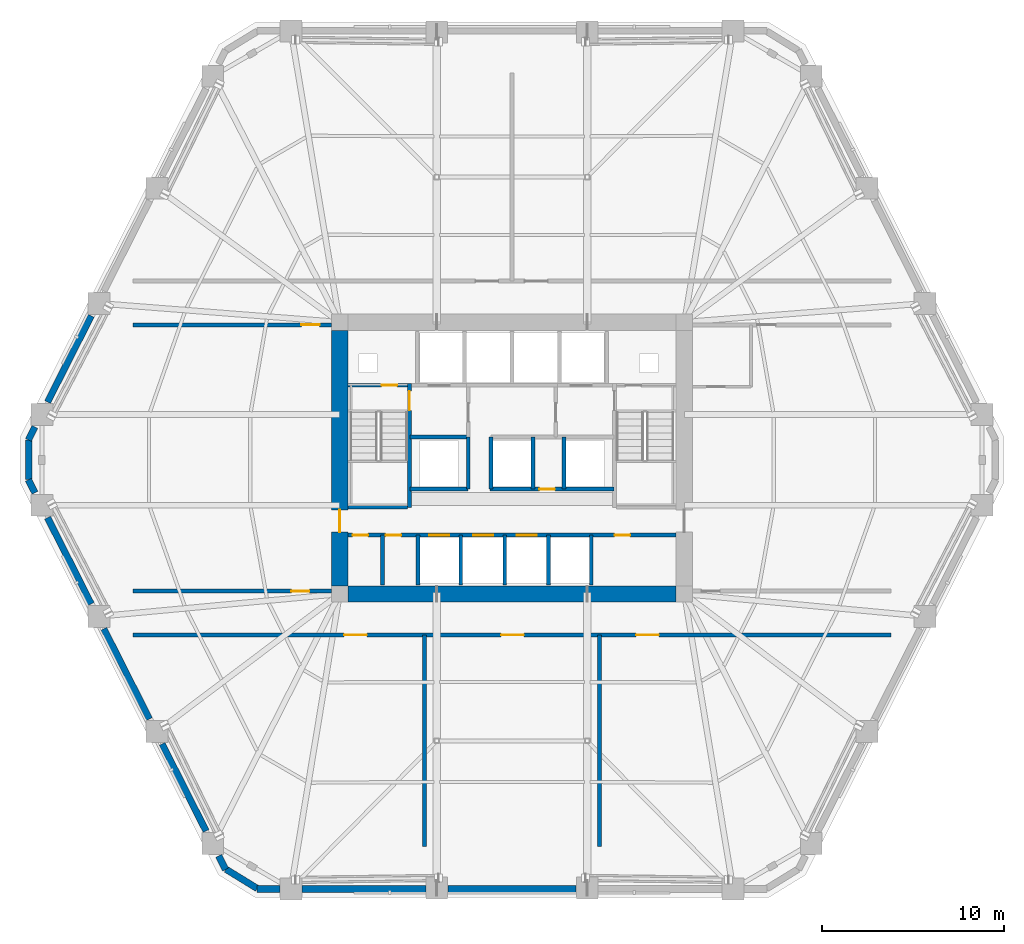
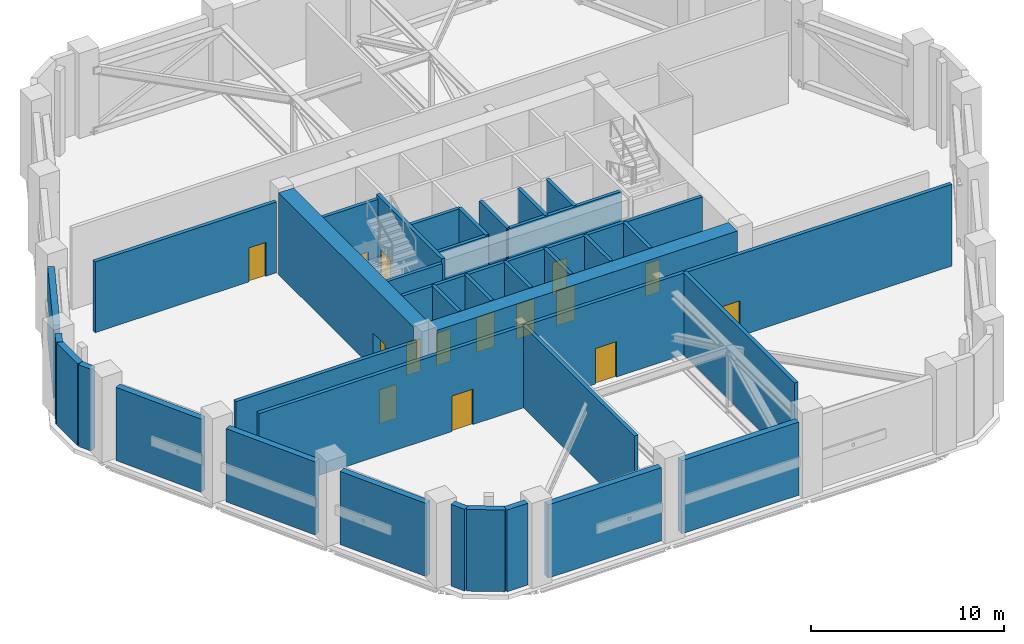
# One storey, part 11 of 19: 36 walls, 15 doors, 15 openings.
"""IFC4 building model written with IfcOpenShell, lengths in metres."""

from ifc_helpers import new_model, si_unit, direction, frame, frame_2d, origin, place, context, subcontext, project, spatial, rectangle, extrude, material, layer, layer_set, type_object, element, fill, save


model = new_model("IFC4")

# Units and contexts
model_context = context("Model", 3, precision=1e-05, world=origin(), true_north=direction((0.0, 1.0)))
body_context = subcontext(model_context, "Body", "Model", "MODEL_VIEW")
ifc_project = project(units=[si_unit("LENGTHUNIT", "METRE"), si_unit("AREAUNIT", "SQUARE_METRE"), si_unit("VOLUMEUNIT", "CUBIC_METRE"), si_unit("PLANEANGLEUNIT", "RADIAN"), si_unit("MASSUNIT", "GRAM", prefix="KILO")], contexts=[model_context])

# Site, building, storey
site_placement = place(None, origin())
site = spatial("IfcSite", under=ifc_project, at=site_placement, CompositionType="ELEMENT")
building_placement = place(site_placement, origin())
building = spatial("IfcBuilding", under=site, at=building_placement, Name="Cinnabar Lancet Tower", CompositionType="ELEMENT")
storey_placement = place(building_placement, frame((0.0, 0.0, 74.60009765625)))
storey = spatial("IfcBuildingStorey", under=building, at=storey_placement, Name="L19", CompositionType="ELEMENT", Elevation=74.60009765625)

# Wall, opening, door
ifc_material_1 = material(Name="Acoustic masonry plant room wall", Category="masonry")
ifc_layer_1 = layer(ifc_material_1, 0.219970703125)
ifc_layer_set_1 = layer_set([ifc_layer_1], Name="Acoustic masonry plant room wall")
wall_type_1 = type_object("IfcWallType", Name="ARC-WL-PLANT-220", PredefinedType="PARTITIONING", material=ifc_layer_set_1)
wall_1_placement = place(storey_placement, frame((11.632080078125, 18.60009765625, 0.0), z_axis=(0.0, 0.0, 1.0), x_axis=(1.0, 0.0, 0.0)))
wall_1 = element("IfcWall", 1, at=wall_1_placement, inside=storey, type_object=wall_type_1, Name="PW-L19-RFWS", PredefinedType="PARTITIONING", context=body_context, shape_type="SweptSolid", body=[
    extrude(rectangle(XDim=10.867919921875, YDim=0.219970703125, at=frame_2d((5.43408203125, 0.0))), origin(), (0.0, 0.0, 1.0), 4.48681640625),
])
opening_1_placement = place(wall_1_placement, frame((8.66796875, 0.0, 0.0)))
opening_1 = element("IfcOpeningElement", 2, at=opening_1_placement, cuts=wall_1, Name="Opening FD-01", PredefinedType="OPENING", context=body_context, shape_type="SweptSolid", body=[
    extrude(rectangle(XDim=1.0, YDim=2.14990234375, at=frame_2d((0.5, 1.074951171875))), frame((0.0, 0.119873046875, 0.0), z_axis=(0.0, -1.0, 0.0), x_axis=(1.0, 0.0, 0.0)), (0.0, 0.0, 1.0), 0.239990234375),
])
ifc_material_2 = material(Name="Fire-rated timber-core lobby door", Category="wood")
door_type_1 = type_object("IfcDoorType", Name="ARC-DR-FFAL", OperationType="NOTDEFINED", PredefinedType="DOOR", material=ifc_material_2)
door_1_placement = place(opening_1_placement, origin())
door_1 = element("IfcDoor", 3, at=door_1_placement, inside=storey, type_object=door_type_1, Name="L19 Plant Corridor Fire Door RWS", OperationType="SINGLE_SWING_LEFT", OverallHeight=2.14990234375, OverallWidth=1.0, PredefinedType="DOOR", context=body_context, shape_type="SweptSolid", body=[
    extrude(rectangle(XDim=1.0, YDim=2.14990234375, at=frame_2d((0.5, 1.074951171875))), frame((0.0, 0.02490234375, 0.0), z_axis=(0.0, -1.0, 0.0), x_axis=(1.0, 0.0, 0.0)), (0.0, 0.0, 1.0), 0.050048828125),
])
fill(opening_1, door_1)

wall_2_placement = place(storey_placement, frame((11.632080078125, 33.199951171875, 0.0), z_axis=(0.0, 0.0, 1.0), x_axis=(1.0, 0.0, 0.0)))
wall_2 = element("IfcWall", 4, at=wall_2_placement, inside=storey, type_object=wall_type_1, Name="PW-L19-RFWN", PredefinedType="PARTITIONING", context=body_context, shape_type="SweptSolid", body=[
    extrude(rectangle(XDim=10.867919921875, YDim=0.219970703125, at=frame_2d((5.43408203125, 0.0))), origin(), (0.0, 0.0, 1.0), 4.48681640625),
])
opening_2_placement = place(wall_2_placement, frame((9.218017578125, 0.0, 0.0)))
opening_2 = element("IfcOpeningElement", 5, at=opening_2_placement, cuts=wall_2, Name="Opening FD-01", PredefinedType="OPENING", context=body_context, shape_type="SweptSolid", body=[
    extrude(rectangle(XDim=1.0, YDim=2.14990234375, at=frame_2d((0.5, 1.074951171875))), frame((0.0, 0.119873046875, 0.0), z_axis=(0.0, -1.0, 0.0), x_axis=(1.0, 0.0, 0.0)), (0.0, 0.0, 1.0), 0.239990234375),
])
door_2_placement = place(opening_2_placement, origin())
door_2 = element("IfcDoor", 6, at=door_2_placement, inside=storey, type_object=door_type_1, Name="L19 Plant Corridor Fire Door RWN", OperationType="SINGLE_SWING_LEFT", OverallHeight=2.14990234375, OverallWidth=1.0, PredefinedType="DOOR", context=body_context, shape_type="SweptSolid", body=[
    extrude(rectangle(XDim=1.0, YDim=2.14990234375, at=frame_2d((0.5, 1.074951171875))), frame((0.0, 0.02490234375, 0.0), z_axis=(0.0, -1.0, 0.0), x_axis=(1.0, 0.0, 0.0)), (0.0, 0.0, 1.0), 0.050048828125),
])
fill(opening_2, door_2)

# Wall, openings, doors
wall_3_placement = place(storey_placement, frame((11.632080078125, 16.199951171875, 0.0), z_axis=(0.0, 0.0, 1.0), x_axis=(1.0, 0.0, 0.0)))
wall_3 = element("IfcWall", 7, at=wall_3_placement, inside=storey, type_object=wall_type_1, Name="PW-L19-SPLS", PredefinedType="PARTITIONING", context=body_context, shape_type="SweptSolid", body=[
    extrude(rectangle(XDim=41.535888671875, YDim=0.219970703125, at=frame_2d((20.76806640625, 0.0))), origin(), (0.0, 0.0, 1.0), 5.179931640625),
])
opening_3_placement = place(wall_3_placement, frame((11.568115234375, 0.0, 0.0)))
opening_3 = element("IfcOpeningElement", 8, at=opening_3_placement, cuts=wall_3, Name="Opening PD-01", PredefinedType="OPENING", context=body_context, shape_type="SweptSolid", body=[
    extrude(rectangle(XDim=1.25, YDim=2.25, at=frame_2d((0.625, 1.125))), frame((0.0, 0.119873046875, 0.0), z_axis=(0.0, -1.0, 0.0), x_axis=(1.0, 0.0, 0.0)), (0.0, 0.0, 1.0), 0.239990234375),
])
opening_4_placement = place(wall_3_placement, frame((20.16796875, 0.0, 0.0)))
opening_4 = element("IfcOpeningElement", 9, at=opening_4_placement, cuts=wall_3, Name="Opening PD-01", PredefinedType="OPENING", context=body_context, shape_type="SweptSolid", body=[
    extrude(rectangle(XDim=1.25, YDim=2.25, at=frame_2d((0.625, 1.125))), frame((0.0, 0.119873046875, 0.0), z_axis=(0.0, -1.0, 0.0), x_axis=(1.0, 0.0, 0.0)), (0.0, 0.0, 1.0), 0.239990234375),
])
opening_5_placement = place(wall_3_placement, frame((27.568115234375, 0.0, 0.0)))
opening_5 = element("IfcOpeningElement", 10, at=opening_5_placement, cuts=wall_3, Name="Opening PD-01", PredefinedType="OPENING", context=body_context, shape_type="SweptSolid", body=[
    extrude(rectangle(XDim=1.25, YDim=2.25, at=frame_2d((0.625, 1.125))), frame((0.0, 0.119873046875, 0.0), z_axis=(0.0, -1.0, 0.0), x_axis=(1.0, 0.0, 0.0)), (0.0, 0.0, 1.0), 0.239990234375),
])
ifc_material_3 = material(Name="Louvred fire-rated steel plant room double door", Category="steel")
door_type_2 = type_object("IfcDoorType", Name="ARC-DR-PLANT", OperationType="NOTDEFINED", PredefinedType="DOOR", material=ifc_material_3)
door_3_placement = place(opening_3_placement, origin())
door_3 = element("IfcDoor", 11, at=door_3_placement, inside=storey, type_object=door_type_2, Name="DR-L19-SPL1", OperationType="SINGLE_SWING_LEFT", OverallHeight=2.25, OverallWidth=1.25, PredefinedType="DOOR", context=body_context, shape_type="SweptSolid", body=[
    extrude(rectangle(XDim=1.25, YDim=2.25, at=frame_2d((0.625, 1.125))), frame((0.0, 0.02490234375, 0.0), z_axis=(0.0, -1.0, 0.0), x_axis=(1.0, 0.0, 0.0)), (0.0, 0.0, 1.0), 0.050048828125),
])
fill(opening_3, door_3)
door_4_placement = place(opening_4_placement, origin())
door_4 = element("IfcDoor", 12, at=door_4_placement, inside=storey, type_object=door_type_2, Name="DR-L19-SPL2", OperationType="SINGLE_SWING_LEFT", OverallHeight=2.25, OverallWidth=1.25, PredefinedType="DOOR", context=body_context, shape_type="SweptSolid", body=[
    extrude(rectangle(XDim=1.25, YDim=2.25, at=frame_2d((0.625, 1.125))), frame((0.0, 0.02490234375, 0.0), z_axis=(0.0, -1.0, 0.0), x_axis=(1.0, 0.0, 0.0)), (0.0, 0.0, 1.0), 0.050048828125),
])
fill(opening_4, door_4)
door_5_placement = place(opening_5_placement, origin())
door_5 = element("IfcDoor", 13, at=door_5_placement, inside=storey, type_object=door_type_2, Name="DR-L19-SPL3", OperationType="SINGLE_SWING_LEFT", OverallHeight=2.25, OverallWidth=1.25, PredefinedType="DOOR", context=body_context, shape_type="SweptSolid", body=[
    extrude(rectangle(XDim=1.25, YDim=2.25, at=frame_2d((0.625, 1.125))), frame((0.0, 0.02490234375, 0.0), z_axis=(0.0, -1.0, 0.0), x_axis=(1.0, 0.0, 0.0)), (0.0, 0.0, 1.0), 0.050048828125),
])
fill(opening_5, door_5)

# Walls
for number, where, z_axis, x_axis, name in (
    (14, (27.60009765625, 4.60009765625, 0.0), (0.0, 0.0, 1.0), (0.0, 1.0, 0.0), "PW-L19-SDIV-27"),
    (15, (37.199951171875, 4.60009765625, 0.0), (0.0, 0.0, 1.0), (0.0, 1.0, 0.0), "PW-L19-SDIV-37"),
):
    element("IfcWall", number, at=place(storey_placement, frame(where, z_axis=z_axis, x_axis=x_axis)), inside=storey, type_object=wall_type_1, Name=name, PredefinedType="PARTITIONING", context=body_context, shape_type="SweptSolid", body=[
        extrude(rectangle(XDim=11.599853515625, YDim=0.219970703125, at=frame_2d((5.7998046875, 0.0))), origin(), (0.0, 0.0, 1.0), 5.179931640625),
    ])
ifc_material_4 = material(Name="Autoclaved aerated concrete blockwork", Category="masonry")
ifc_layer_2 = layer(ifc_material_4, 0.199951171875)
ifc_layer_set_2 = layer_set([ifc_layer_2], Name="Autoclaved aerated concrete blockwork")
wall_type_2 = type_object("IfcWallType", Name="ARC-WL-SHAFT-200", PredefinedType="PLUMBINGWALL", material=ifc_layer_set_2)
wall_4_placement = place(storey_placement, frame((23.405029296875, 23.199951171875, 0.0), z_axis=(0.0, 0.0, 1.0), x_axis=(1.0, 0.0, 0.0)))
element("IfcWall", 16, at=wall_4_placement, inside=storey, type_object=wall_type_2, Name="CW-ST1S-L19", PredefinedType="PLUMBINGWALL", context=body_context, shape_type="SweptSolid", body=[
    extrude(rectangle(XDim=3.27001953125, YDim=0.199951171875, at=frame_2d((1.635009765625, 0.0))), origin(), (0.0, 0.0, 1.0), 5.179931640625),
])

# Wall, opening, door
wall_5_placement = place(storey_placement, frame((23.405029296875, 29.89990234375, 0.0), z_axis=(0.0, 0.0, 1.0), x_axis=(1.0, 0.0, 0.0)))
wall_5 = element("IfcWall", 17, at=wall_5_placement, inside=storey, type_object=wall_type_2, Name="CW-NSH-W-L19", PredefinedType="PLUMBINGWALL", context=body_context, shape_type="SweptSolid", body=[
    extrude(rectangle(XDim=3.27001953125, YDim=0.199951171875, at=frame_2d((1.635009765625, 0.0))), origin(), (0.0, 0.0, 1.0), 5.179931640625),
])
opening_6_placement = place(wall_5_placement, frame((1.85009765625, 0.0, 0.0)))
opening_6 = element("IfcOpeningElement", 18, at=opening_6_placement, cuts=wall_5, Name="Opening PD-02", PredefinedType="OPENING", context=body_context, shape_type="SweptSolid", body=[
    extrude(rectangle(XDim=0.85009765625, YDim=2.050048828125, at=frame_2d((0.425048828125, 1.02490234375))), frame((0.0, 0.10986328125, 0.0), z_axis=(0.0, -1.0, 0.0), x_axis=(1.0, 0.0, 0.0)), (0.0, 0.0, 1.0), 0.219970703125),
])
ifc_material_5 = material(Name="Fire-rated steel riser access door", Category="steel")
door_type_3 = type_object("IfcDoorType", Name="ARC-DR-RISER", OperationType="NOTDEFINED", PredefinedType="DOOR", material=ifc_material_5)
door_6_placement = place(opening_6_placement, origin())
door_6 = element("IfcDoor", 19, at=door_6_placement, inside=storey, type_object=door_type_3, Name="L19 West Riser Access Door", OperationType="SINGLE_SWING_LEFT", OverallHeight=2.050048828125, OverallWidth=0.85009765625, PredefinedType="DOOR", context=body_context, shape_type="SweptSolid", body=[
    extrude(rectangle(XDim=0.85009765625, YDim=2.050048828125, at=frame_2d((0.425048828125, 1.02490234375))), frame((0.0, 0.02490234375, 0.0), z_axis=(0.0, -1.0, 0.0), x_axis=(1.0, 0.0, 0.0)), (0.0, 0.0, 1.0), 0.050048828125),
])
fill(opening_6, door_6)

# Walls
for number, where, z_axis, x_axis, name in (
    (20, (26.800048828125, 27.050048828125, 0.0), (0.0, 0.0, 1.0), (1.0, 0.0, 0.0), "CW-FF1S-L19"),
    (21, (26.800048828125, 24.199951171875, 0.0), (0.0, 0.0, 1.0), (1.0, 0.0, 0.0), "CW-PL5S-L19"),
):
    element("IfcWall", number, at=place(storey_placement, frame(where, z_axis=z_axis, x_axis=x_axis)), inside=storey, type_object=wall_type_2, Name=name, PredefinedType="PLUMBINGWALL", context=body_context, shape_type="SweptSolid", body=[
        extrude(rectangle(XDim=3.199951171875, YDim=0.199951171875, at=frame_2d((1.60009765625, 0.0))), origin(), (0.0, 0.0, 1.0), 5.179931640625),
    ])
wall_6_placement = place(storey_placement, frame((30.0, 24.199951171875, 0.0), z_axis=(0.0, 0.0, 1.0), x_axis=(0.0, 1.0, 0.0)))
element("IfcWall", 22, at=wall_6_placement, inside=storey, type_object=wall_type_2, Name="CW-PL5E-L19", PredefinedType="PLUMBINGWALL", context=body_context, shape_type="SweptSolid", body=[
    extrude(rectangle(XDim=2.85009765625, YDim=0.199951171875, at=frame_2d((1.425048828125, 0.0))), origin(), (0.0, 0.0, 1.0), 5.179931640625),
])

# Wall, opening, door
wall_7_placement = place(storey_placement, frame((31.199951171875, 24.199951171875, 0.0), z_axis=(0.0, 0.0, 1.0), x_axis=(1.0, 0.0, 0.0)))
wall_7 = element("IfcWall", 23, at=wall_7_placement, inside=storey, type_object=wall_type_2, Name="CW-PL96S-L19", PredefinedType="PLUMBINGWALL", context=body_context, shape_type="SweptSolid", body=[
    extrude(rectangle(XDim=6.800048828125, YDim=0.199951171875, at=frame_2d((3.39990234375, 0.0))), origin(), (0.0, 0.0, 1.0), 5.179931640625),
])
opening_7_placement = place(wall_7_placement, frame((2.699951171875, 0.0, 0.0)))
opening_7 = element("IfcOpeningElement", 24, at=opening_7_placement, cuts=wall_7, Name="Opening PD-02", PredefinedType="OPENING", context=body_context, shape_type="SweptSolid", body=[
    extrude(rectangle(XDim=0.85009765625, YDim=2.050048828125, at=frame_2d((0.425048828125, 1.02490234375))), frame((0.0, 0.10986328125, 0.0), z_axis=(0.0, -1.0, 0.0), x_axis=(1.0, 0.0, 0.0)), (0.0, 0.0, 1.0), 0.219970703125),
])
door_7_placement = place(opening_7_placement, origin())
door_7 = element("IfcDoor", 25, at=door_7_placement, inside=storey, type_object=door_type_3, Name="L19 BMS Closet Door", OperationType="SINGLE_SWING_LEFT", OverallHeight=2.050048828125, OverallWidth=0.85009765625, PredefinedType="DOOR", context=body_context, shape_type="SweptSolid", body=[
    extrude(rectangle(XDim=0.85009765625, YDim=2.050048828125, at=frame_2d((0.425048828125, 1.02490234375))), frame((0.0, 0.02490234375, 0.0), z_axis=(0.0, -1.0, 0.0), x_axis=(1.0, 0.0, 0.0)), (0.0, 0.0, 1.0), 0.050048828125),
])
fill(opening_7, door_7)

# Walls
for number, where, z_axis, x_axis, name in (
    (26, (31.25, 24.199951171875, 0.0), (0.0, 0.0, 1.0), (0.0, 1.0, 0.0), "CW-PL9W-L19"),
    (27, (33.550048828125, 24.199951171875, 0.0), (0.0, 0.0, 1.0), (0.0, 1.0, 0.0), "CW-PL9E-L19"),
    (28, (35.25, 24.199951171875, 0.0), (0.0, 0.0, 1.0), (0.0, 1.0, 0.0), "CW-PL6W-L19"),
):
    element("IfcWall", number, at=place(storey_placement, frame(where, z_axis=z_axis, x_axis=x_axis)), inside=storey, type_object=wall_type_2, Name=name, PredefinedType="PLUMBINGWALL", context=body_context, shape_type="SweptSolid", body=[
        extrude(rectangle(XDim=2.85009765625, YDim=0.199951171875, at=frame_2d((1.425048828125, 0.0))), origin(), (0.0, 0.0, 1.0), 5.179931640625),
    ])

# Wall, openings, doors
wall_8_placement = place(storey_placement, frame((23.419921875, 21.679931640625, 0.0), z_axis=(0.0, 0.0, 1.0), x_axis=(1.0, 0.0, 0.0)))
wall_8 = element("IfcWall", 29, at=wall_8_placement, inside=storey, type_object=wall_type_2, Name="CW-SBANDN-L19", PredefinedType="PLUMBINGWALL", context=body_context, shape_type="SweptSolid", body=[
    extrude(rectangle(XDim=17.9599609375, YDim=0.199951171875, at=frame_2d((8.97998046875, 0.0))), origin(), (0.0, 0.0, 1.0), 5.179931640625),
])
opening_8_placement = place(wall_8_placement, frame((4.449951171875, 0.0, 0.0)))
opening_8 = element("IfcOpeningElement", 30, at=opening_8_placement, cuts=wall_8, Name="Opening LD-01", PredefinedType="OPENING", context=body_context, shape_type="SweptSolid", body=[
    extrude(rectangle(XDim=1.10009765625, YDim=2.199951171875, at=frame_2d((0.550048828125, 1.10009765625))), frame((0.0, 0.10986328125, 0.0), z_axis=(0.0, -1.0, 0.0), x_axis=(1.0, 0.0, 0.0)), (0.0, 0.0, 1.0), 0.219970703125),
])
opening_9_placement = place(wall_8_placement, frame((6.85009765625, 0.0, 0.0)))
opening_9 = element("IfcOpeningElement", 31, at=opening_9_placement, cuts=wall_8, Name="Opening LD-01", PredefinedType="OPENING", context=body_context, shape_type="SweptSolid", body=[
    extrude(rectangle(XDim=1.10009765625, YDim=2.199951171875, at=frame_2d((0.550048828125, 1.10009765625))), frame((0.0, 0.10986328125, 0.0), z_axis=(0.0, -1.0, 0.0), x_axis=(1.0, 0.0, 0.0)), (0.0, 0.0, 1.0), 0.219970703125),
])
opening_10_placement = place(wall_8_placement, frame((9.25, 0.0, 0.0)))
opening_10 = element("IfcOpeningElement", 32, at=opening_10_placement, cuts=wall_8, Name="Opening LD-01", PredefinedType="OPENING", context=body_context, shape_type="SweptSolid", body=[
    extrude(rectangle(XDim=1.10009765625, YDim=2.199951171875, at=frame_2d((0.550048828125, 1.10009765625))), frame((0.0, 0.10986328125, 0.0), z_axis=(0.0, -1.0, 0.0), x_axis=(1.0, 0.0, 0.0)), (0.0, 0.0, 1.0), 0.219970703125),
])
opening_11_placement = place(wall_8_placement, frame((0.25, 0.0, 0.0)))
opening_11 = element("IfcOpeningElement", 33, at=opening_11_placement, cuts=wall_8, Name="Opening PD-02", PredefinedType="OPENING", context=body_context, shape_type="SweptSolid", body=[
    extrude(rectangle(XDim=0.85009765625, YDim=2.050048828125, at=frame_2d((0.425048828125, 1.02490234375))), frame((0.0, 0.10986328125, 0.0), z_axis=(0.0, -1.0, 0.0), x_axis=(1.0, 0.0, 0.0)), (0.0, 0.0, 1.0), 0.219970703125),
])
opening_12_placement = place(wall_8_placement, frame((2.050048828125, 0.0, 0.0)))
opening_12 = element("IfcOpeningElement", 34, at=opening_12_placement, cuts=wall_8, Name="Opening PD-02", PredefinedType="OPENING", context=body_context, shape_type="SweptSolid", body=[
    extrude(rectangle(XDim=0.85009765625, YDim=2.050048828125, at=frame_2d((0.425048828125, 1.02490234375))), frame((0.0, 0.10986328125, 0.0), z_axis=(0.0, -1.0, 0.0), x_axis=(1.0, 0.0, 0.0)), (0.0, 0.0, 1.0), 0.219970703125),
])
opening_13_placement = place(wall_8_placement, frame((14.60009765625, 0.0, 0.0)))
opening_13 = element("IfcOpeningElement", 35, at=opening_13_placement, cuts=wall_8, Name="Opening PD-02", PredefinedType="OPENING", context=body_context, shape_type="SweptSolid", body=[
    extrude(rectangle(XDim=0.85009765625, YDim=2.050048828125, at=frame_2d((0.425048828125, 1.02490234375))), frame((0.0, 0.10986328125, 0.0), z_axis=(0.0, -1.0, 0.0), x_axis=(1.0, 0.0, 0.0)), (0.0, 0.0, 1.0), 0.219970703125),
])
ifc_material_6 = material(Name="Brushed stainless steel sliding lift door", Category="steel")
door_type_4 = type_object("IfcDoorType", Name="ARC-DR-LD-PASS", OperationType="NOTDEFINED", PredefinedType="DOOR", material=ifc_material_6)
door_8_placement = place(opening_8_placement, origin())
door_8 = element("IfcDoor", 36, at=door_8_placement, inside=storey, type_object=door_type_4, Name="L19 Lift PL-1 Landing Door", OperationType="DOUBLE_DOOR_SLIDING", OverallHeight=2.199951171875, OverallWidth=1.10009765625, PredefinedType="DOOR", context=body_context, shape_type="SweptSolid", body=[
    extrude(rectangle(XDim=1.10009765625, YDim=2.199951171875, at=frame_2d((0.550048828125, 1.10009765625))), frame((0.0, 0.02490234375, 0.0), z_axis=(0.0, -1.0, 0.0), x_axis=(1.0, 0.0, 0.0)), (0.0, 0.0, 1.0), 0.050048828125),
])
fill(opening_8, door_8)
door_9_placement = place(opening_9_placement, origin())
door_9 = element("IfcDoor", 37, at=door_9_placement, inside=storey, type_object=door_type_4, Name="L19 Lift PL-2 Landing Door", OperationType="DOUBLE_DOOR_SLIDING", OverallHeight=2.199951171875, OverallWidth=1.10009765625, PredefinedType="DOOR", context=body_context, shape_type="SweptSolid", body=[
    extrude(rectangle(XDim=1.10009765625, YDim=2.199951171875, at=frame_2d((0.550048828125, 1.10009765625))), frame((0.0, 0.02490234375, 0.0), z_axis=(0.0, -1.0, 0.0), x_axis=(1.0, 0.0, 0.0)), (0.0, 0.0, 1.0), 0.050048828125),
])
fill(opening_9, door_9)
door_10_placement = place(opening_10_placement, origin())
door_10 = element("IfcDoor", 38, at=door_10_placement, inside=storey, type_object=door_type_4, Name="L19 Lift PL-3 Landing Door", OperationType="DOUBLE_DOOR_SLIDING", OverallHeight=2.199951171875, OverallWidth=1.10009765625, PredefinedType="DOOR", context=body_context, shape_type="SweptSolid", body=[
    extrude(rectangle(XDim=1.10009765625, YDim=2.199951171875, at=frame_2d((0.550048828125, 1.10009765625))), frame((0.0, 0.02490234375, 0.0), z_axis=(0.0, -1.0, 0.0), x_axis=(1.0, 0.0, 0.0)), (0.0, 0.0, 1.0), 0.050048828125),
])
fill(opening_10, door_10)
door_11_placement = place(opening_11_placement, origin())
door_11 = element("IfcDoor", 39, at=door_11_placement, inside=storey, type_object=door_type_3, Name="DR-L19-SW1", OperationType="SINGLE_SWING_LEFT", OverallHeight=2.050048828125, OverallWidth=0.85009765625, PredefinedType="DOOR", context=body_context, shape_type="SweptSolid", body=[
    extrude(rectangle(XDim=0.85009765625, YDim=2.050048828125, at=frame_2d((0.425048828125, 1.02490234375))), frame((0.0, 0.02490234375, 0.0), z_axis=(0.0, -1.0, 0.0), x_axis=(1.0, 0.0, 0.0)), (0.0, 0.0, 1.0), 0.050048828125),
])
fill(opening_11, door_11)
door_12_placement = place(opening_12_placement, origin())
door_12 = element("IfcDoor", 40, at=door_12_placement, inside=storey, type_object=door_type_3, Name="DR-L19-SW2", OperationType="SINGLE_SWING_RIGHT", OverallHeight=2.050048828125, OverallWidth=0.85009765625, PredefinedType="DOOR", context=body_context, shape_type="SweptSolid", body=[
    extrude(rectangle(XDim=0.85009765625, YDim=2.050048828125, at=frame_2d((0.425048828125, 1.02490234375))), frame((0.0, 0.02490234375, 0.0), z_axis=(0.0, -1.0, 0.0), x_axis=(1.0, 0.0, 0.0)), (0.0, 0.0, 1.0), 0.050048828125),
])
fill(opening_12, door_12)
door_13_placement = place(opening_13_placement, origin())
door_13 = element("IfcDoor", 41, at=door_13_placement, inside=storey, type_object=door_type_3, Name="DR-L19-SE1", OperationType="SINGLE_SWING_LEFT", OverallHeight=2.050048828125, OverallWidth=0.85009765625, PredefinedType="DOOR", context=body_context, shape_type="SweptSolid", body=[
    extrude(rectangle(XDim=0.85009765625, YDim=2.050048828125, at=frame_2d((0.425048828125, 1.02490234375))), frame((0.0, 0.02490234375, 0.0), z_axis=(0.0, -1.0, 0.0), x_axis=(1.0, 0.0, 0.0)), (0.0, 0.0, 1.0), 0.050048828125),
])
fill(opening_13, door_13)

# Walls
for number, where, z_axis, x_axis, name in (
    (42, (27.25, 18.949951171875, 0.0), (0.0, 0.0, 1.0), (0.0, 1.0, 0.0), "CW-SB-2725-L19"),
    (43, (29.60009765625, 18.949951171875, 0.0), (0.0, 0.0, 1.0), (0.0, 1.0, 0.0), "CW-SB-2960-L19"),
    (44, (32.0, 18.949951171875, 0.0), (0.0, 0.0, 1.0), (0.0, 1.0, 0.0), "CW-SB-3200-L19"),
    (45, (34.39990234375, 18.949951171875, 0.0), (0.0, 0.0, 1.0), (0.0, 1.0, 0.0), "CW-SB-3440-L19"),
    (46, (36.75, 18.949951171875, 0.0), (0.0, 0.0, 1.0), (0.0, 1.0, 0.0), "CW-SB-3675-L19"),
    (47, (25.300048828125, 18.949951171875, 0.0), (0.0, 0.0, 1.0), (0.0, 1.0, 0.0), "CW-SB-SW-L19"),
):
    element("IfcWall", number, at=place(storey_placement, frame(where, z_axis=z_axis, x_axis=x_axis)), inside=storey, type_object=wall_type_2, Name=name, PredefinedType="PLUMBINGWALL", context=body_context, shape_type="SweptSolid", body=[
        extrude(rectangle(XDim=2.72998046875, YDim=0.199951171875, at=frame_2d((1.364990234375, 0.0))), origin(), (0.0, 0.0, 1.0), 5.179931640625),
    ])
ifc_material_7 = material(Name="Dark charcoal engineering brick", Category="masonry")
ifc_layer_3 = layer(ifc_material_7, 0.360107421875)
ifc_layer_set_3 = layer_set([ifc_layer_3], Name="Dark charcoal engineering brick")
wall_type_3 = type_object("IfcWallType", Name="ENV-WL-BRK-CHR-360", PredefinedType="STANDARD", material=ifc_layer_set_3)
wall_9_placement = place(storey_placement, frame((16.721923828125, 3.360107421875, 0.0), z_axis=(0.0, 0.0, 1.0), x_axis=(0.852149399221, -0.523298577685, 0.0)))
element("IfcWall", 48, at=wall_9_placement, inside=storey, type_object=wall_type_3, Name="L19 Chamfered Corner Brick Pier 1.1", PredefinedType="STANDARD", context=body_context, shape_type="SweptSolid", body=[
    extrude(rectangle(XDim=2.0126953125, YDim=0.360107421875, at=frame_2d((1.00634765625, 0.0))), origin(), (0.0, 0.0, 1.0), 5.179931640625),
])
wall_10_placement = place(storey_placement, frame((5.912109375, 26.883056640625, 0.0), z_axis=(0.0, 0.0, 1.0), x_axis=(0.0, -1.0, 0.0)))
element("IfcWall", 49, at=wall_10_placement, inside=storey, type_object=wall_type_3, Name="L19 Chamfered Corner Brick Pier 6.1", PredefinedType="STANDARD", context=body_context, shape_type="SweptSolid", body=[
    extrude(rectangle(XDim=2.166015625, YDim=0.360107421875, at=frame_2d((1.0830078125, 0.0))), origin(), (0.0, 0.0, 1.0), 5.179931640625),
])
wall_11_placement = place(storey_placement, frame((18.430908203125, 2.280029296875, 0.0), z_axis=(0.0, 0.0, 1.0), x_axis=(1.0, 0.0, 0.0)))
element("IfcWall", 50, at=wall_11_placement, inside=storey, type_object=wall_type_3, Name="L19 Face 1 Masonry Bay Wall 1", PredefinedType="STANDARD", context=body_context, shape_type="SweptSolid", body=[
    extrude(rectangle(XDim=1.248046875, YDim=0.360107421875, at=frame_2d((0.6240234375, 0.0))), origin(), (0.0, 0.0, 1.0), 5.179931640625),
])
wall_12_placement = place(storey_placement, frame((20.886962890625, 2.280029296875, 0.0), z_axis=(0.0, 0.0, 1.0), x_axis=(1.0, 0.0, 0.0)))
element("IfcWall", 51, at=wall_12_placement, inside=storey, type_object=wall_type_3, Name="L19 Face 1 Masonry Bay Wall 2", PredefinedType="STANDARD", context=body_context, shape_type="SweptSolid", body=[
    extrude(rectangle(XDim=6.787109375, YDim=0.360107421875, at=frame_2d((3.3935546875, 0.0))), origin(), (0.0, 0.0, 1.0), 4.636962890625),
])
wall_13_placement = place(storey_placement, frame((28.882080078125, 2.280029296875, 0.0), z_axis=(0.0, 0.0, 1.0), x_axis=(1.0, 0.0, 0.0)))
element("IfcWall", 52, at=wall_13_placement, inside=storey, type_object=wall_type_3, Name="L19 Face 1 Masonry Bay Wall 3", PredefinedType="STANDARD", context=body_context, shape_type="SweptSolid", body=[
    extrude(rectangle(XDim=7.035888671875, YDim=0.360107421875, at=frame_2d((3.51806640625, 0.0))), origin(), (0.0, 0.0, 1.0), 4.636962890625),
])
wall_14_placement = place(storey_placement, frame((9.3330078125, 33.695068359375, 0.0), z_axis=(0.0, 0.0, 1.0), x_axis=(-0.45141428896, -0.892314484766, 0.0)))
element("IfcWall", 53, at=wall_14_placement, inside=storey, type_object=wall_type_3, Name="L19 Face 5 Masonry Bay Wall 4", PredefinedType="STANDARD", context=body_context, shape_type="SweptSolid", body=[
    extrude(rectangle(XDim=5.294189453125, YDim=0.360107421875, at=frame_2d((2.64697265625, 0.0))), origin(), (0.0, 0.0, 1.0), 4.636962890625),
])
wall_15_placement = place(storey_placement, frame((6.25, 27.60107421875, 0.0), z_axis=(0.0, 0.0, 1.0), x_axis=(-0.451740571767, -0.892149346141, 0.0)))
element("IfcWall", 54, at=wall_15_placement, inside=storey, type_object=wall_type_3, Name="L19 Face 5 Masonry Bay Wall 5", PredefinedType="STANDARD", context=body_context, shape_type="SweptSolid", body=[
    extrude(rectangle(XDim=0.797119140625, YDim=0.360107421875, at=frame_2d((0.3984375, 0.0))), origin(), (0.0, 0.0, 1.0), 5.179931640625),
])
wall_16_placement = place(storey_placement, frame((5.889892578125, 24.7099609375, 0.0), z_axis=(0.0, 0.0, 1.0), x_axis=(0.451864032029, -0.8920868212, 0.0)))
element("IfcWall", 55, at=wall_16_placement, inside=storey, type_object=wall_type_3, Name="L19 Face 6 Masonry Bay Wall 1", PredefinedType="STANDARD", context=body_context, shape_type="SweptSolid", body=[
    extrude(rectangle(XDim=0.796875, YDim=0.360107421875, at=frame_2d((0.3984375, 0.0))), origin(), (0.0, 0.0, 1.0), 5.179931640625),
])
wall_17_placement = place(storey_placement, frame((6.943115234375, 22.62890625, 0.0), z_axis=(0.0, 0.0, 1.0), x_axis=(0.451432864686, -0.892305087221, 0.0)))
element("IfcWall", 56, at=wall_17_placement, inside=storey, type_object=wall_type_3, Name="L19 Face 6 Masonry Bay Wall 2", PredefinedType="STANDARD", context=body_context, shape_type="SweptSolid", body=[
    extrude(rectangle(XDim=5.2939453125, YDim=0.360107421875, at=frame_2d((2.64697265625, 0.0))), origin(), (0.0, 0.0, 1.0), 4.636962890625),
])
wall_18_placement = place(storey_placement, frame((10.02587890625, 16.534912109375, 0.0), z_axis=(0.0, 0.0, 1.0), x_axis=(0.451476366852, -0.892283077378, 0.0)))
element("IfcWall", 57, at=wall_18_placement, inside=storey, type_object=wall_type_3, Name="L19 Face 6 Masonry Bay Wall 3", PredefinedType="STANDARD", context=body_context, shape_type="SweptSolid", body=[
    extrude(rectangle(XDim=5.537353515625, YDim=0.360107421875, at=frame_2d((2.7685546875, 0.0))), origin(), (0.0, 0.0, 1.0), 4.636962890625),
])
wall_19_placement = place(storey_placement, frame((13.218994140625, 10.22412109375, 0.0), z_axis=(0.0, 0.0, 1.0), x_axis=(0.451559361714, -0.892241078884, 0.0)))
element("IfcWall", 58, at=wall_19_placement, inside=storey, type_object=wall_type_3, Name="L19 Face 6 Masonry Bay Wall 4", PredefinedType="STANDARD", context=body_context, shape_type="SweptSolid", body=[
    extrude(rectangle(XDim=5.341796875, YDim=0.360107421875, at=frame_2d((2.6708984375, 0.0))), origin(), (0.0, 0.0, 1.0), 4.636962890625),
])
wall_20_placement = place(storey_placement, frame((16.323974609375, 4.087890625, 0.0), z_axis=(0.0, 0.0, 1.0), x_axis=(0.45153655953, -0.892252618605, 0.0)))
element("IfcWall", 59, at=wall_20_placement, inside=storey, type_object=wall_type_3, Name="L19 Face 6 Masonry Bay Wall 5", PredefinedType="STANDARD", context=body_context, shape_type="SweptSolid", body=[
    extrude(rectangle(XDim=0.834716796875, YDim=0.360107421875, at=frame_2d((0.41748046875, 0.0))), origin(), (0.0, 0.0, 1.0), 5.179931640625),
])
ifc_material_8 = material(Name="Concrete C80/95", Category="concrete")
ifc_layer_4 = layer(ifc_material_8, 0.89990234375)
ifc_layer_set_4 = layer_set([ifc_layer_4], Name="Concrete C80/95")
wall_type_4 = type_object("IfcWallType", Name="STR-WL-CORE-900", PredefinedType="SHEAR", material=ifc_layer_set_4)
wall_21_placement = place(storey_placement, frame((23.39990234375, 18.449951171875, 0.0), z_axis=(0.0, 0.0, 1.0), x_axis=(1.0, 0.0, 0.0)))
element("IfcWall", 60, at=wall_21_placement, inside=storey, type_object=wall_type_4, Name="L19 Core Shear Wall S", PredefinedType="SHEAR", context=body_context, shape_type="SweptSolid", body=[
    extrude(rectangle(XDim=18.0, YDim=0.89990234375, at=frame_2d((9.0, 0.0))), origin(), (0.0, 0.0, 1.0), 5.179931640625),
])

# Wall, opening, door
wall_22_placement = place(storey_placement, frame((22.949951171875, 18.89990234375, 0.0), z_axis=(0.0, 0.0, 1.0), x_axis=(0.0, 1.0, 0.0)))
wall_22 = element("IfcWall", 61, at=wall_22_placement, inside=storey, type_object=wall_type_4, Name="L19 Core Shear Wall W", PredefinedType="SHEAR", context=body_context, shape_type="SweptSolid", body=[
    extrude(rectangle(XDim=14.0, YDim=0.89990234375, at=frame_2d((7.0, 0.0))), origin(), (0.0, 0.0, 1.0), 5.179931640625),
])
opening_14_placement = place(wall_22_placement, frame((2.93994140625, 0.0, 0.0)))
opening_14 = element("IfcOpeningElement", 62, at=opening_14_placement, cuts=wall_22, Name="Opening FD-02", PredefinedType="OPENING", context=body_context, shape_type="SweptSolid", body=[
    extrude(rectangle(XDim=1.219970703125, YDim=2.25, at=frame_2d((0.60986328125, 1.125))), frame((0.0, 0.4599609375, 0.0), z_axis=(0.0, -1.0, 0.0), x_axis=(1.0, 0.0, 0.0)), (0.0, 0.0, 1.0), 0.919921875),
])
ifc_material_9 = material(Name="Fire-rated double-vision core portal door", Category="wood")
door_type_5 = type_object("IfcDoorType", Name="ARC-DR-CPORT", OperationType="NOTDEFINED", PredefinedType="DOOR", material=ifc_material_9)
door_14_placement = place(opening_14_placement, origin())
door_14 = element("IfcDoor", 63, at=door_14_placement, inside=storey, type_object=door_type_5, Name="L19 West Core Lobby Fire Door", OperationType="SINGLE_SWING_RIGHT", OverallHeight=2.25, OverallWidth=1.219970703125, PredefinedType="DOOR", context=body_context, shape_type="SweptSolid", body=[
    extrude(rectangle(XDim=1.219970703125, YDim=2.25, at=frame_2d((0.60986328125, 1.125))), frame((0.0, 0.02490234375, 0.0), z_axis=(0.0, -1.0, 0.0), x_axis=(1.0, 0.0, 0.0)), (0.0, 0.0, 1.0), 0.050048828125),
])
fill(opening_14, door_14)

ifc_material_10 = material(Name="Concrete C50/60", Category="concrete")
ifc_layer_5 = layer(ifc_material_10, 0.199951171875)
ifc_layer_set_5 = layer_set([ifc_layer_5], Name="Concrete C50/60")
wall_type_5 = type_object("IfcWallType", Name="STR-WL-STAIR-200", PredefinedType="SHEAR", material=ifc_layer_set_5)
wall_23_placement = place(storey_placement, frame((26.780029296875, 23.199951171875, 0.0), z_axis=(0.0, 0.0, 1.0), x_axis=(0.0, 1.0, 0.0)))
wall_23 = element("IfcWall", 64, at=wall_23_placement, inside=storey, type_object=wall_type_5, Name="L19 Stair ST-1 Structural Enclosure Wall", PredefinedType="SHEAR", context=body_context, shape_type="SweptSolid", body=[
    extrude(rectangle(XDim=6.780029296875, YDim=0.199951171875, at=frame_2d((3.39013671875, 0.0))), origin(), (0.0, 0.0, 1.0), 5.39990234375),
])
opening_15_placement = place(wall_23_placement, frame((5.320068359375, 0.0, 0.0)))
opening_15 = element("IfcOpeningElement", 65, at=opening_15_placement, cuts=wall_23, Name="Opening SD-01", PredefinedType="OPENING", context=body_context, shape_type="SweptSolid", body=[
    extrude(rectangle(XDim=1.050048828125, YDim=2.14990234375, at=frame_2d((0.52490234375, 1.074951171875))), frame((0.0, 0.10986328125, 0.0), z_axis=(0.0, -1.0, 0.0), x_axis=(1.0, 0.0, 0.0)), (0.0, 0.0, 1.0), 0.219970703125),
])
ifc_material_11 = material(Name="Fire-rated steel stair exit door", Category="steel")
door_type_6 = type_object("IfcDoorType", Name="ARC-DR-STAIR", OperationType="NOTDEFINED", PredefinedType="DOOR", material=ifc_material_11)
door_15_placement = place(opening_15_placement, origin())
door_15 = element("IfcDoor", 66, at=door_15_placement, inside=storey, type_object=door_type_6, Name="L19 Stair ST-1 Fire Door", OperationType="SINGLE_SWING_LEFT", OverallHeight=2.14990234375, OverallWidth=1.050048828125, PredefinedType="DOOR", context=body_context, shape_type="SweptSolid", body=[
    extrude(rectangle(XDim=1.050048828125, YDim=2.14990234375, at=frame_2d((0.52490234375, 1.074951171875))), frame((0.0, 0.02490234375, 0.0), z_axis=(0.0, -1.0, 0.0), x_axis=(1.0, 0.0, 0.0)), (0.0, 0.0, 1.0), 0.050048828125),
])
fill(opening_15, door_15)

save(model, "model.ifc")
